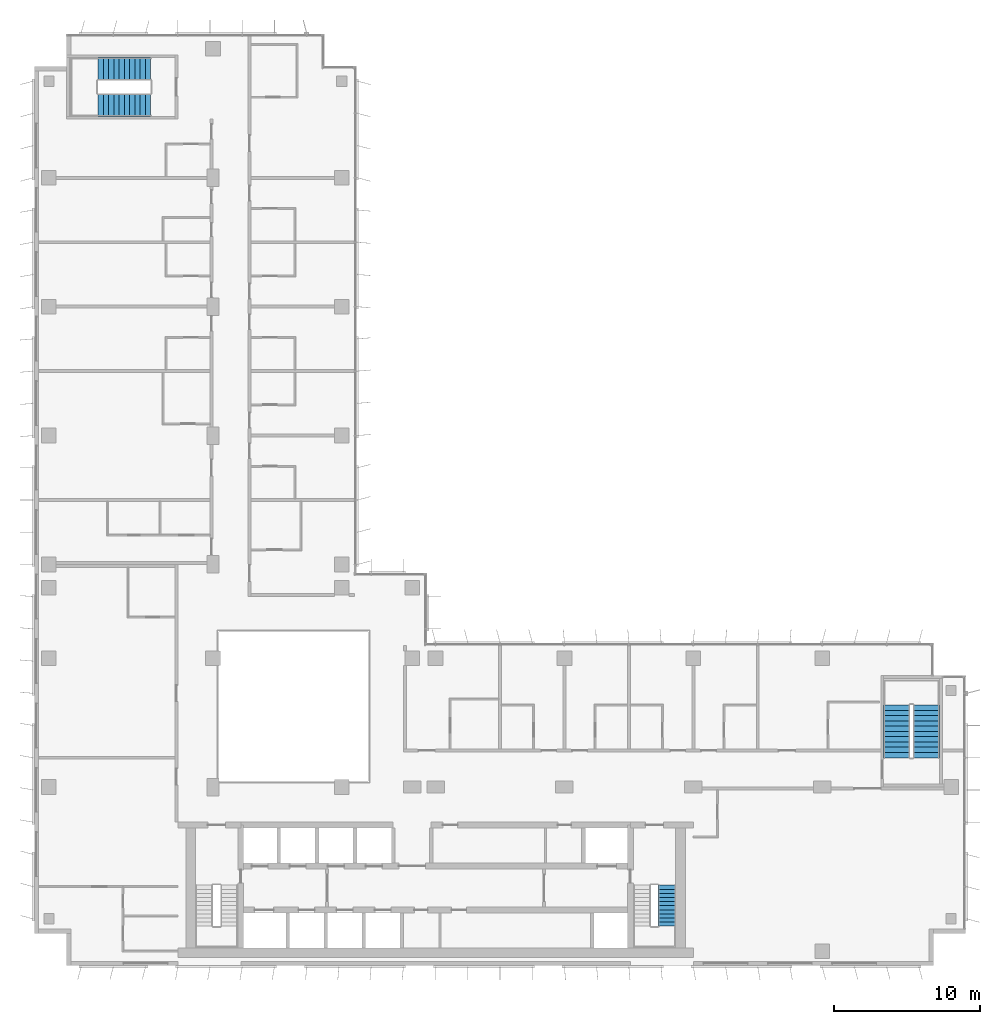
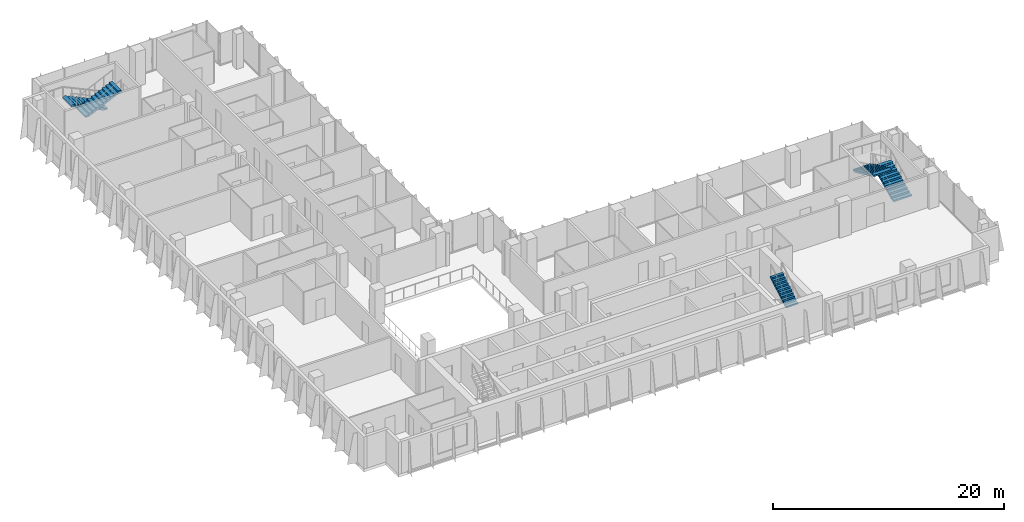
# One storey, part 18 of 21: 5 stair flights, 3 elements without a shape of their own.
"""IFC4 building model written with IfcOpenShell, lengths in metres."""

from ifc_helpers import new_model, si_unit, direction, frame, origin, place, context, subcontext, project, spatial, polyline, outline, extrude, material, type_object, element, aggregate, save


model = new_model("IFC4")

# Units and contexts
model_context = context("Model", 3, precision=1e-05, world=origin(), true_north=direction((0.0, 1.0)))
body_context = subcontext(model_context, "Body", "Model", "MODEL_VIEW")
ifc_project = project(units=[si_unit("LENGTHUNIT", "METRE"), si_unit("AREAUNIT", "SQUARE_METRE"), si_unit("VOLUMEUNIT", "CUBIC_METRE"), si_unit("PLANEANGLEUNIT", "RADIAN"), si_unit("MASSUNIT", "GRAM", prefix="KILO")], contexts=[model_context])

# Site, building, storey
site_placement = place(None, origin())
site = spatial("IfcSite", under=ifc_project, at=site_placement, CompositionType="ELEMENT")
building_placement = place(site_placement, origin())
building = spatial("IfcBuilding", under=site, at=building_placement, Name="Kemantara Hotel Tower", CompositionType="ELEMENT")
storey_placement = place(building_placement, frame((0.0, 0.0, 182.699951171875)))
storey = spatial("IfcBuildingStorey", under=building, at=storey_placement, Name="L45", CompositionType="ELEMENT", Elevation=182.699951171875)

# Stair, stair flight
ifc_material = material(Name="Concrete fc 40 MPa", Category="concrete")
stair_type_1 = type_object("IfcStairType", Name="Stair 1200 wide 22 risers of 168 x 280 mm", PredefinedType="HALF_TURN_STAIR", material=ifc_material)
stair_1_placement = place(storey_placement, origin())
stair_1 = element("IfcStair", 1, at=stair_1_placement, inside=storey, type_object=stair_type_1, Name="L45 Exit stair ST2", PredefinedType="HALF_TURN_STAIR")
stair_flight_type_1 = type_object("IfcStairFlightType", Name="Stair flight 1200 wide 168 x 280 mm", PredefinedType="STRAIGHT", material=ifc_material)
stair_flight_1_placement = place(storey_placement, frame((43.199951171875, 2.699951171875, 1.85009765625), z_axis=(0.0, 0.0, 1.0), x_axis=(0.0, 1.0, 0.0)))
stair_flight_1 = element("IfcStairFlight", 2, at=stair_flight_1_placement, type_object=stair_flight_type_1, Name="ST2 flight 2", NumberOfRisers=11, NumberOfTreads=10, PredefinedType="STRAIGHT", RiserHeight=0.168181818, TreadLength=0.28, context=body_context, shape_type="SweptSolid", body=[
    extrude(outline(polyline([(0.0, 0.0), (0.0, 0.168212890625), (0.280029296875, 0.168212890625), (0.280029296875, 0.33642578125), (0.56005859375, 0.33642578125), (0.56005859375, 0.504638671875), (0.840087890625, 0.504638671875), (0.840087890625, 0.672607421875), (1.1201171875, 0.672607421875), (1.1201171875, 0.8408203125), (1.39990234375, 0.8408203125), (1.39990234375, 1.009033203125), (1.679931640625, 1.009033203125), (1.679931640625, 1.17724609375), (1.9599609375, 1.17724609375), (1.9599609375, 1.345458984375), (2.239990234375, 1.345458984375), (2.239990234375, 1.513671875), (2.52001953125, 1.513671875), (2.52001953125, 1.681884765625), (2.800048828125, 1.681884765625), (2.800048828125, 1.85009765625), (2.800048828125, 1.5068359375), (0.291015625, 0.0), (0.0, 0.0)])), frame((0.0, 0.60009765625, 0.0), z_axis=(0.0, -1.0, 0.0), x_axis=(1.0, 0.0, 0.0)), (0.0, 0.0, 1.0), 1.199951171875),
])
aggregate(stair_1, [stair_flight_1])

# Stair, stair flights
stair_type_2 = type_object("IfcStairType", Name="Stair 1550 wide 22 risers of 168 x 360 mm", PredefinedType="HALF_TURN_STAIR", material=ifc_material)
stair_2_placement = place(storey_placement, origin())
stair_2 = element("IfcStair", 3, at=stair_2_placement, inside=storey, type_object=stair_type_2, Name="L45 Exit stair ST4", PredefinedType="HALF_TURN_STAIR")
stair_flight_type_2 = type_object("IfcStairFlightType", Name="Stair flight 1550 wide 168 x 360 mm", PredefinedType="STRAIGHT", material=ifc_material)
stair_flight_2_placement = place(storey_placement, frame((7.949951171875, 61.22509765625, 0.0), z_axis=(0.0, 0.0, 1.0), x_axis=(-1.0, 0.0, 0.0)))
stair_flight_2 = element("IfcStairFlight", 4, at=stair_flight_2_placement, type_object=stair_flight_type_2, Name="ST4 flight 1", NumberOfRisers=11, NumberOfTreads=10, PredefinedType="STRAIGHT", RiserHeight=0.168181818, TreadLength=0.36, context=body_context, shape_type="SweptSolid", body=[
    extrude(outline(polyline([(0.0, 0.0), (0.0, 0.168212890625), (0.360107421875, 0.168212890625), (0.360107421875, 0.33642578125), (0.719970703125, 0.33642578125), (0.719970703125, 0.504638671875), (1.080078125, 0.504638671875), (1.080078125, 0.672607421875), (1.43994140625, 0.672607421875), (1.43994140625, 0.8408203125), (1.800048828125, 0.8408203125), (1.800048828125, 1.009033203125), (2.159912109375, 1.009033203125), (2.159912109375, 1.17724609375), (2.52001953125, 1.17724609375), (2.52001953125, 1.345458984375), (2.8798828125, 1.345458984375), (2.8798828125, 1.513671875), (3.239990234375, 1.513671875), (3.239990234375, 1.681884765625), (3.60009765625, 1.681884765625), (3.60009765625, 1.85009765625), (3.60009765625, 1.516357421875), (0.354248046875, 0.0), (0.0, 0.0)])), frame((0.0, 0.77490234375, 0.0), z_axis=(0.0, -1.0, 0.0), x_axis=(1.0, 0.0, 0.0)), (0.0, 0.0, 1.0), 1.550048828125),
])
stair_flight_3_placement = place(storey_placement, frame((4.35009765625, 58.77490234375, 1.85009765625), z_axis=(0.0, 0.0, 1.0), x_axis=(1.0, 0.0, 0.0)))
stair_flight_3 = element("IfcStairFlight", 5, at=stair_flight_3_placement, type_object=stair_flight_type_2, Name="ST4 flight 2", NumberOfRisers=11, NumberOfTreads=10, PredefinedType="STRAIGHT", RiserHeight=0.168181818, TreadLength=0.36, context=body_context, shape_type="SweptSolid", body=[
    extrude(outline(polyline([(0.0, 0.0), (0.0, 0.168212890625), (0.360107421875, 0.168212890625), (0.360107421875, 0.33642578125), (0.719970703125, 0.33642578125), (0.719970703125, 0.504638671875), (1.080078125, 0.504638671875), (1.080078125, 0.672607421875), (1.43994140625, 0.672607421875), (1.43994140625, 0.8408203125), (1.800048828125, 0.8408203125), (1.800048828125, 1.009033203125), (2.159912109375, 1.009033203125), (2.159912109375, 1.17724609375), (2.52001953125, 1.17724609375), (2.52001953125, 1.345458984375), (2.8798828125, 1.345458984375), (2.8798828125, 1.513671875), (3.239990234375, 1.513671875), (3.239990234375, 1.681884765625), (3.60009765625, 1.681884765625), (3.60009765625, 1.85009765625), (3.60009765625, 1.516357421875), (0.354248046875, 0.0), (0.0, 0.0)])), frame((0.0, 0.77490234375, 0.0), z_axis=(0.0, -1.0, 0.0), x_axis=(1.0, 0.0, 0.0)), (0.0, 0.0, 1.0), 1.550048828125),
])
aggregate(stair_2, [stair_flight_2, stair_flight_3])

stair_type_3 = type_object("IfcStairType", Name="Stair 1800 wide 22 risers of 168 x 360 mm", PredefinedType="HALF_TURN_STAIR", material=ifc_material)
stair_3_placement = place(storey_placement, origin())
stair_3 = element("IfcStair", 6, at=stair_3_placement, inside=storey, type_object=stair_type_3, Name="L45 Exit stair ST3", PredefinedType="HALF_TURN_STAIR")
stair_flight_type_3 = type_object("IfcStairFlightType", Name="Stair flight 1800 wide 168 x 360 mm", PredefinedType="STRAIGHT", material=ifc_material)
stair_flight_4_placement = place(storey_placement, frame((60.89990234375, 14.199951171875, 0.0), z_axis=(0.0, 0.0, 1.0), x_axis=(0.0, 1.0, 0.0)))
stair_flight_4 = element("IfcStairFlight", 7, at=stair_flight_4_placement, type_object=stair_flight_type_3, Name="ST3 flight 1", NumberOfRisers=11, NumberOfTreads=10, PredefinedType="STRAIGHT", RiserHeight=0.168181818, TreadLength=0.36, context=body_context, shape_type="SweptSolid", body=[
    extrude(outline(polyline([(0.0, 0.0), (0.0, 0.168212890625), (0.360107421875, 0.168212890625), (0.360107421875, 0.33642578125), (0.719970703125, 0.33642578125), (0.719970703125, 0.504638671875), (1.080078125, 0.504638671875), (1.080078125, 0.672607421875), (1.43994140625, 0.672607421875), (1.43994140625, 0.8408203125), (1.800048828125, 0.8408203125), (1.800048828125, 1.009033203125), (2.159912109375, 1.009033203125), (2.159912109375, 1.17724609375), (2.52001953125, 1.17724609375), (2.52001953125, 1.345458984375), (2.8798828125, 1.345458984375), (2.8798828125, 1.513671875), (3.239990234375, 1.513671875), (3.239990234375, 1.681884765625), (3.60009765625, 1.681884765625), (3.60009765625, 1.85009765625), (3.60009765625, 1.516357421875), (0.354248046875, 0.0), (0.0, 0.0)])), frame((0.0, 0.89990234375, 0.0), z_axis=(0.0, -1.0, 0.0), x_axis=(1.0, 0.0, 0.0)), (0.0, 0.0, 1.0), 1.800048828125),
])
stair_flight_5_placement = place(storey_placement, frame((58.89990234375, 17.800048828125, 1.85009765625), z_axis=(0.0, 0.0, 1.0), x_axis=(0.0, -1.0, 0.0)))
stair_flight_5 = element("IfcStairFlight", 8, at=stair_flight_5_placement, type_object=stair_flight_type_3, Name="ST3 flight 2", NumberOfRisers=11, NumberOfTreads=10, PredefinedType="STRAIGHT", RiserHeight=0.168181818, TreadLength=0.36, context=body_context, shape_type="SweptSolid", body=[
    extrude(outline(polyline([(0.0, 0.0), (0.0, 0.168212890625), (0.360107421875, 0.168212890625), (0.360107421875, 0.33642578125), (0.719970703125, 0.33642578125), (0.719970703125, 0.504638671875), (1.080078125, 0.504638671875), (1.080078125, 0.672607421875), (1.43994140625, 0.672607421875), (1.43994140625, 0.8408203125), (1.800048828125, 0.8408203125), (1.800048828125, 1.009033203125), (2.159912109375, 1.009033203125), (2.159912109375, 1.17724609375), (2.52001953125, 1.17724609375), (2.52001953125, 1.345458984375), (2.8798828125, 1.345458984375), (2.8798828125, 1.513671875), (3.239990234375, 1.513671875), (3.239990234375, 1.681884765625), (3.60009765625, 1.681884765625), (3.60009765625, 1.85009765625), (3.60009765625, 1.516357421875), (0.354248046875, 0.0), (0.0, 0.0)])), frame((0.0, 0.89990234375, 0.0), z_axis=(0.0, -1.0, 0.0), x_axis=(1.0, 0.0, 0.0)), (0.0, 0.0, 1.0), 1.800048828125),
])
aggregate(stair_3, [stair_flight_4, stair_flight_5])

save(model, "model.ifc")
